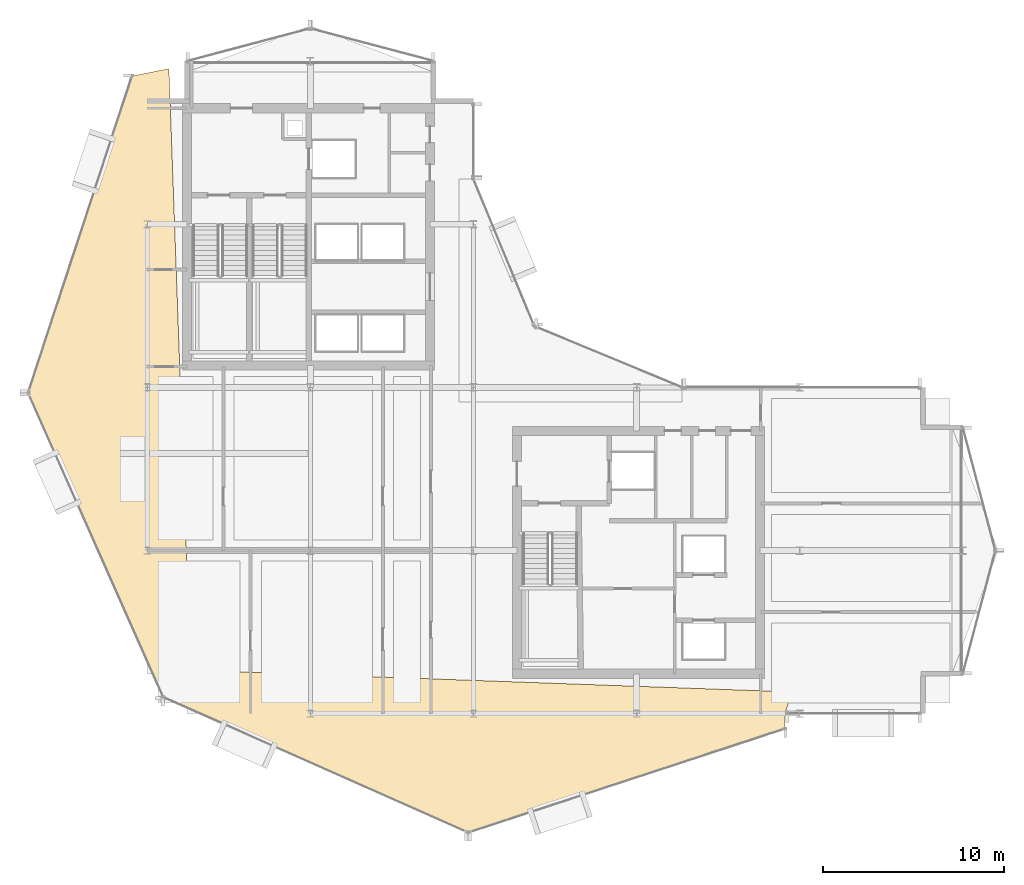
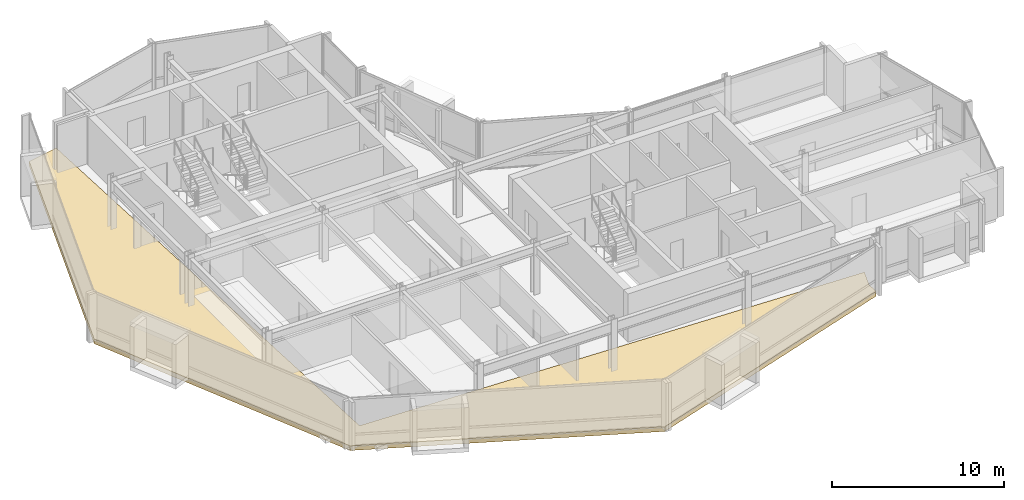
# One storey, part 24 of 27: 1 covering.
"""IFC4 building model written with IfcOpenShell, lengths in metres."""

from ifc_helpers import new_model, si_unit, direction, frame, origin, place, context, subcontext, project, spatial, polyline, outline, extrude, material, layer, layer_set, type_object, element, save


model = new_model("IFC4")

# Units and contexts
model_context = context("Model", 3, precision=1e-05, world=origin(), true_north=direction((0.0, 1.0)))
body_context = subcontext(model_context, "Body", "Model", "MODEL_VIEW")
ifc_project = project(units=[si_unit("LENGTHUNIT", "METRE"), si_unit("AREAUNIT", "SQUARE_METRE"), si_unit("VOLUMEUNIT", "CUBIC_METRE"), si_unit("PLANEANGLEUNIT", "RADIAN"), si_unit("MASSUNIT", "GRAM", prefix="KILO")], contexts=[model_context])

# Site, building, storey
site_placement = place(None, origin())
site = spatial("IfcSite", under=ifc_project, at=site_placement, CompositionType="ELEMENT")
building_placement = place(site_placement, origin())
building = spatial("IfcBuilding", under=site, at=building_placement, Name="Solvaryn Broadcast Tower", CompositionType="ELEMENT")
storey_placement = place(building_placement, frame((0.0, 0.0, 189.0)))
storey = spatial("IfcBuildingStorey", under=building, at=storey_placement, Name="L47", CompositionType="ELEMENT", Elevation=189.0)

# Covering
ifc_material = material(Name="Sculpted Architectural Terracotta Wave Fascia", Category="masonry")
ifc_layer = layer(ifc_material, 0.340087890625)
ifc_layer_set = layer_set([ifc_layer], Name="CV-WAVE-TRAY")
covering_type = type_object("IfcCoveringType", Name="CV-WAVE-TRAY", PredefinedType="CLADDING", material=ifc_layer_set)
covering_placement = place(storey_placement, frame((0.0, 0.0, -0.300048828125)))
element("IfcCovering", 1, at=covering_placement, inside=storey, type_object=covering_type, Name="L47 Stepped Cylindrical Drum Floor Apron", PredefinedType="CLADDING", context=body_context, shape_type="SweptSolid", body=[
    extrude(outline(polyline([(10.199951171875, 44.58203125), (8.1630859375, 44.181884765625), (2.43310546875, 26.7060546875), (9.89794921875, 9.89794921875), (26.7060546875, 2.43310546875), (44.181884765625, 8.1630859375), (44.181884765625, 9.0), (44.58203125, 10.199951171875), (11.39990234375, 11.39990234375), (10.199951171875, 44.58203125)])), origin(), (0.0, 0.0, 1.0), 0.330078125),
])

save(model, "model.ifc")
